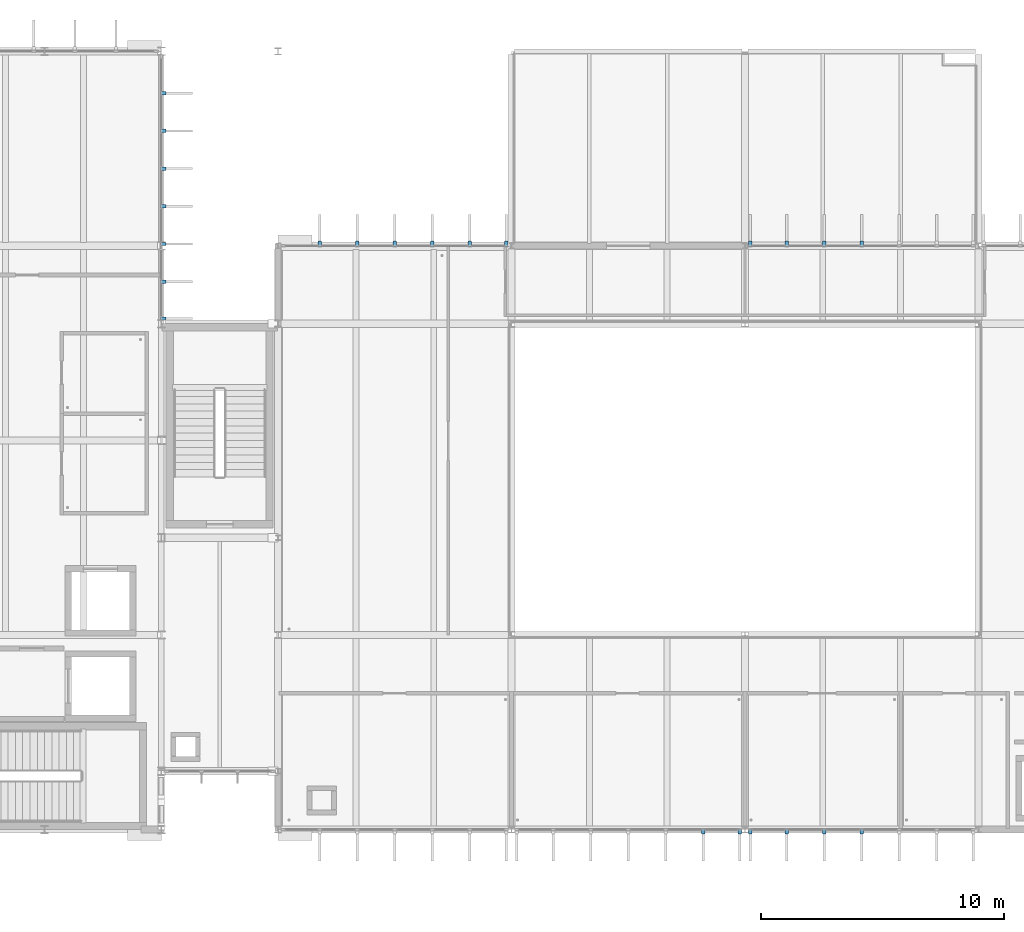
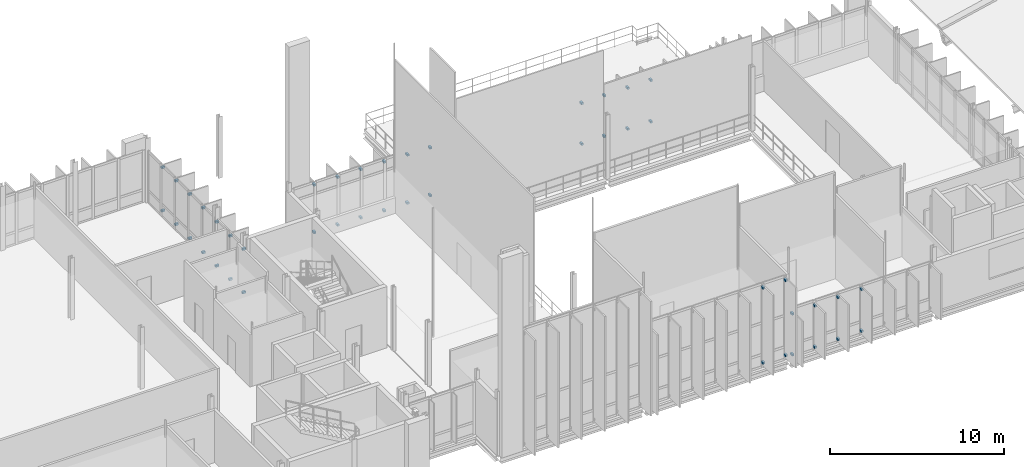
# One storey, part 35 of 41: 46 discrete accessories.
"""IFC4 building model written with IfcOpenShell, lengths in metres."""

import ifcopenshell
import ifcopenshell.guid

model = None  # the IFC model being written
_history = None  # IfcOwnerHistory: only IFC2X3 demands one
_inside = {}  # id of a spatial element -> (the spatial element, [elements in it])
_under = {}  # id of a project, library or spatial element -> (it, [spatial elements below it])
_declared = {}  # id of a project -> (the project, [libraries it declares])
_typed = {}  # id of a type object -> (the type object, [elements of that type])
_made_of = {}  # id of a material, layer set ... -> (it, [elements and type objects made of it])


def new_model(schema):
    """Start an empty IFC model of exactly this schema.

    Asked for "IFC4X3", IfcOpenShell would pick the latest addendum, in which some entities
    have other attributes; the version numbers below select the first issue.
    IFC2X3 requires an IfcOwnerHistory on every rooted entity: one is made here for all.
    """
    global model, _history
    if schema == "IFC4X3":
        model = ifcopenshell.file(schema_version=(4, 3, 0, 0))
    else:
        model = ifcopenshell.file(schema=schema)
    _inside.clear()
    _under.clear()
    _declared.clear()
    _typed.clear()
    _made_of.clear()
    _history = None
    if model.schema == "IFC2X3":
        org = make("IfcOrganization", Name="unknown")
        user = make(
            "IfcPersonAndOrganization",
            ThePerson=make("IfcPerson", FamilyName="unknown"),
            TheOrganization=org,
        )
        app = make(
            "IfcApplication",
            ApplicationDeveloper=org,
            Version="unknown",
            ApplicationFullName="unknown",
            ApplicationIdentifier="unknown",
        )
        _history = make(
            "IfcOwnerHistory",
            OwningUser=user,
            OwningApplication=app,
            ChangeAction="ADDED",
            CreationDate=0,
        )
    return model


def make(cls, **values):
    """One entity of the class cls with the attributes given. An attribute that is None is left unset."""
    return model.create_entity(
        cls, **{name: value for name, value in values.items() if value is not None}
    )


def rooted(cls, **values):
    """An entity with a GlobalId (a new one), such as an element, a storey or a relation."""
    return make(cls, GlobalId=ifcopenshell.guid.new(), OwnerHistory=_history, **values)


def si_unit(unit_type, name, prefix=None):
    """IfcSIUnit, for example si_unit("LENGTHUNIT", "METRE", prefix="MILLI")."""
    return make("IfcSIUnit", UnitType=unit_type, Prefix=prefix, Name=name)


def assignment(units):
    """IfcUnitAssignment: the units of a project."""
    return None if units is None else make("IfcUnitAssignment", Units=units)


def point(xyz):
    """IfcCartesianPoint."""
    return None if xyz is None else make("IfcCartesianPoint", Coordinates=xyz)


def direction(xyz):
    """IfcDirection."""
    return None if xyz is None else make("IfcDirection", DirectionRatios=xyz)


def frame(location, z_axis=None, x_axis=None):
    """IfcAxis2Placement3D, a coordinate frame: its origin and axes. An axis left out is left unset."""
    return make(
        "IfcAxis2Placement3D",
        Location=point(location),
        Axis=direction(z_axis),
        RefDirection=direction(x_axis),
    )


def frame_2d(location, x_axis=None):
    """IfcAxis2Placement2D, a coordinate frame in the plane: its origin and x axis."""
    return make(
        "IfcAxis2Placement2D", Location=point(location), RefDirection=direction(x_axis)
    )


def origin():
    """The frame at (0, 0, 0) with its axes left unset."""
    return frame((0.0, 0.0, 0.0))


def origin_2d():
    """The frame at (0, 0) in the plane with its x axis left unset."""
    return frame_2d((0.0, 0.0))


def place(relative_to, where):
    """IfcLocalPlacement: puts the frame where relative to a parent placement (None: the world)."""
    return make(
        "IfcLocalPlacement", PlacementRelTo=relative_to, RelativePlacement=where
    )


def context(
    kind, dimensions, precision=None, world=None, true_north=None, identifier=None
):
    """IfcGeometricRepresentationContext, for example the 3D "Model" context."""
    return make(
        "IfcGeometricRepresentationContext",
        ContextIdentifier=identifier,
        ContextType=kind,
        CoordinateSpaceDimension=dimensions,
        Precision=precision,
        WorldCoordinateSystem=world,
        TrueNorth=true_north,
    )


def subcontext(parent, identifier, kind, view, scale=None):
    """IfcGeometricRepresentationSubContext, for example "Body" below "Model"."""
    return make(
        "IfcGeometricRepresentationSubContext",
        ContextIdentifier=identifier,
        ContextType=kind,
        ParentContext=parent,
        TargetScale=scale,
        TargetView=view,
    )


def project(units=None, contexts=None):
    """IfcProject with its units and contexts."""
    return rooted(
        "IfcProject",
        Name="project",
        RepresentationContexts=contexts,
        UnitsInContext=assignment(units),
    )


def spatial(cls, under=None, at=None, **own):
    """A site, building, storey or space (cls), placed at a placement, below another one or the project."""
    s = rooted(cls, ObjectPlacement=at, **own)
    if under is not None:
        _under.setdefault(under.id(), (under, []))[1].append(s)
    return s


def profile(cls, at=None, kind="AREA", **sizes):
    """A parametric profile (cls). Its sizes go by their IFC names, for example OverallWidth=200.0."""
    return make(cls, ProfileType=kind, Position=at, **sizes)


def rectangle(**sizes):
    """IfcRectangleProfileDef."""
    return profile("IfcRectangleProfileDef", **sizes)


def extrude(swept, where, along, depth):
    """IfcExtrudedAreaSolid: the profile swept, set in the frame where, extruded along a direction by depth."""
    return make(
        "IfcExtrudedAreaSolid",
        SweptArea=swept,
        Position=where,
        ExtrudedDirection=direction(along),
        Depth=depth,
    )


def shape(context_of_items, identifier, shape_type, items):
    """IfcShapeRepresentation: the items that make up one representation, for example the "Body"."""
    return make(
        "IfcShapeRepresentation",
        ContextOfItems=context_of_items,
        RepresentationIdentifier=identifier,
        RepresentationType=shape_type,
        Items=items,
    )


def material(Name=None, Category=None):
    """IfcMaterial."""
    return make("IfcMaterial", Name=Name, Category=Category)


def made_of(thing, what):
    """Note that an element or type object is made of a material, layer set ...; save() writes the relation."""
    if what is not None:
        _made_of.setdefault(what.id(), (what, []))[1].append(thing)
    return thing


def type_object(cls, material=None, **own):
    """A type object (cls), such as IfcWallType, which elements share."""
    return made_of(rooted(cls, **own), material)


def element(
    cls,
    number,
    at=None,
    inside=None,
    cuts=None,
    type_object=None,
    material=None,
    context=None,
    identifier="Body",
    shape_type=None,
    held_by="IfcProductDefinitionShape",
    body=None,
    shapes=None,
    **own,
):
    """One element of the class cls, such as IfcWall. Its Tag is "e" and its number.

    at: its placement. inside: the storey or other place that contains it. cuts: it is an
    opening in that element (IfcRelVoidsElement). A single representation is given by context,
    identifier, shape_type and body (its items); several are given by shapes. held_by: the class
    of the entity that holds the representations. save() writes the other relations.
    """
    e = rooted(cls, Tag="e%d" % number, ObjectPlacement=at, **own)
    if body is not None:
        shapes = [shape(context, identifier, shape_type, body)]
    if shapes is not None:
        e.Representation = make(held_by, Representations=shapes)
    if inside is not None:
        _inside.setdefault(inside.id(), (inside, []))[1].append(e)
    if cuts is not None:
        rooted(
            "IfcRelVoidsElement", RelatingBuildingElement=cuts, RelatedOpeningElement=e
        )
    if type_object is not None:
        _typed.setdefault(type_object.id(), (type_object, []))[1].append(e)
    return made_of(e, material)


def aggregate(whole, parts):
    """IfcRelAggregates: a whole, such as a stair, and the parts it consists of."""
    return rooted("IfcRelAggregates", RelatingObject=whole, RelatedObjects=parts)


def save(model, path):
    """Write the relations noted so far, then the file.

    IfcRelAggregates (storeys below a building ...), IfcRelContainedInSpatialStructure (elements
    in a storey), IfcRelDefinesByType, IfcRelAssociatesMaterial and IfcRelDeclares: one each for
    every whole, place, type object, material and project.
    """
    for whole, parts in _under.values():
        aggregate(whole, parts)
    for where, things in _inside.values():
        rooted(
            "IfcRelContainedInSpatialStructure",
            RelatedElements=things,
            RelatingStructure=where,
        )
    for kind, things in _typed.values():
        rooted("IfcRelDefinesByType", RelatedObjects=things, RelatingType=kind)
    for what, things in _made_of.values():
        rooted("IfcRelAssociatesMaterial", RelatedObjects=things, RelatingMaterial=what)
    for by, libraries in _declared.values():
        rooted("IfcRelDeclares", RelatingContext=by, RelatedDefinitions=libraries)
    model.write(path)


model = new_model("IFC4")

# Units and contexts
model_context = context("Model", 3, precision=1e-05, world=origin(), true_north=direction((0.0, 1.0)))
body_context = subcontext(model_context, "Body", "Model", "MODEL_VIEW")
ifc_project = project(units=[si_unit("LENGTHUNIT", "METRE"), si_unit("AREAUNIT", "SQUARE_METRE"), si_unit("VOLUMEUNIT", "CUBIC_METRE"), si_unit("PLANEANGLEUNIT", "RADIAN"), si_unit("MASSUNIT", "GRAM", prefix="KILO")], contexts=[model_context])

# Site, building, storey
site_placement = place(None, origin())
site = spatial("IfcSite", under=ifc_project, at=site_placement, CompositionType="ELEMENT")
building_placement = place(site_placement, origin())
building = spatial("IfcBuilding", under=site, at=building_placement, Name="Dunescarp Central Library", CompositionType="ELEMENT")
storey_placement = place(building_placement, frame((0.0, 0.0, 23.10009765625)))
storey = spatial("IfcBuildingStorey", under=building, at=storey_placement, Name="L05", CompositionType="ELEMENT", Elevation=23.10009765625)

# Discrete accessories
ifc_material = material(Name="Stainless steel Grade 316L", Category="steel")
discrete_accessory_type = type_object("IfcDiscreteAccessoryType", Name="ARC-ACC-BRK", PredefinedType="BRACKET", material=ifc_material)
for number, where, z_axis, x_axis, name in (
    (1, (33.679931640625, 35.074951171875, 0.2900390625), (0.0, 0.0, 1.0), (1.0, 0.0, 0.0), "Fin bracket BRK-FIN-L05-0260-B"),
    (2, (33.679931640625, 35.074951171875, 3.32275390625), (0.0, 0.0, 1.0), (1.0, 0.0, 0.0), "Fin bracket BRK-FIN-L05-0260-T"),
    (3, (33.679931640625, 33.52490234375, 0.27392578125), (0.0, 0.0, 1.0), (1.0, 0.0, 0.0), "Fin bracket BRK-FIN-L05-0261-B"),
    (4, (33.679931640625, 33.52490234375, 3.32275390625), (0.0, 0.0, 1.0), (1.0, 0.0, 0.0), "Fin bracket BRK-FIN-L05-0261-T"),
    (5, (33.679931640625, 31.97509765625, 0.23291015625), (0.0, 0.0, 1.0), (1.0, 0.0, 0.0), "Fin bracket BRK-FIN-L05-0262-B"),
    (6, (33.679931640625, 31.97509765625, 3.32275390625), (0.0, 0.0, 1.0), (1.0, 0.0, 0.0), "Fin bracket BRK-FIN-L05-0262-T"),
    (7, (33.679931640625, 30.425048828125, 0.18994140625), (0.0, 0.0, 1.0), (1.0, 0.0, 0.0), "Fin bracket BRK-FIN-L05-0263-B"),
    (8, (33.679931640625, 30.425048828125, 3.31201171875), (0.0, 0.0, 1.0), (1.0, 0.0, 0.0), "Fin bracket BRK-FIN-L05-0263-T"),
    (9, (33.679931640625, 28.875, 0.18994140625), (0.0, 0.0, 1.0), (1.0, 0.0, 0.0), "Fin bracket BRK-FIN-L05-0264-B"),
    (10, (33.679931640625, 28.875, 3.26171875), (0.0, 0.0, 1.0), (1.0, 0.0, 0.0), "Fin bracket BRK-FIN-L05-0264-T"),
    (11, (33.679931640625, 27.324951171875, 0.18994140625), (0.0, 0.0, 1.0), (1.0, 0.0, 0.0), "Fin bracket BRK-FIN-L05-0265-B"),
    (12, (33.679931640625, 27.324951171875, 3.22900390625), (0.0, 0.0, 1.0), (1.0, 0.0, 0.0), "Fin bracket BRK-FIN-L05-0265-T"),
    (13, (33.679931640625, 25.81494140625, 0.18994140625), (0.0, 0.0, 1.0), (1.0, 0.0, 0.0), "Fin bracket BRK-FIN-L05-0266-B"),
    (14, (33.679931640625, 25.81494140625, 3.22509765625), (0.0, 0.0, 1.0), (1.0, 0.0, 0.0), "Fin bracket BRK-FIN-L05-0266-T"),
    (15, (57.385009765625, 4.719970703125, 0.27685546875), (0.0, 0.0, 1.0), (0.0, -1.0, 0.0), "Fin bracket BRK-FIN-L05-0516-B"),
    (16, (57.385009765625, 4.719970703125, 5.54296875), (0.0, 0.0, 1.0), (0.0, -1.0, 0.0), "Fin bracket BRK-FIN-L05-0516-T"),
    (17, (55.883056640625, 4.719970703125, 0.2900390625), (0.0, 0.0, 1.0), (0.0, -1.0, 0.0), "Fin bracket BRK-FIN-L05-0517-B"),
    (18, (55.883056640625, 4.719970703125, 5.54296875), (0.0, 0.0, 1.0), (0.0, -1.0, 0.0), "Fin bracket BRK-FIN-L05-0517-T"),
    (19, (62.39990234375, 4.719970703125, 0.23291015625), (0.0, 0.0, 1.0), (0.0, -1.0, 0.0), "Fin bracket BRK-FIN-L05-0526-B"),
    (20, (62.39990234375, 4.719970703125, 3.14306640625), (0.0, 0.0, 1.0), (0.0, -1.0, 0.0), "Fin bracket BRK-FIN-L05-0526-T"),
    (21, (60.85791015625, 4.719970703125, 0.18994140625), (0.0, 0.0, 1.0), (0.0, -1.0, 0.0), "Fin bracket BRK-FIN-L05-0527-B"),
    (22, (60.85791015625, 4.719970703125, 3.1318359375), (0.0, 0.0, 1.0), (0.0, -1.0, 0.0), "Fin bracket BRK-FIN-L05-0527-T"),
    (23, (59.31689453125, 4.719970703125, 0.18994140625), (0.0, 0.0, 1.0), (0.0, -1.0, 0.0), "Fin bracket BRK-FIN-L05-0528-B"),
    (24, (59.31689453125, 4.719970703125, 3.08203125), (0.0, 0.0, 1.0), (0.0, -1.0, 0.0), "Fin bracket BRK-FIN-L05-0528-T"),
    (25, (57.81494140625, 4.719970703125, 0.18994140625), (0.0, 0.0, 1.0), (0.0, -1.0, 0.0), "Fin bracket BRK-FIN-L05-0529-B"),
    (26, (57.81494140625, 4.719970703125, 3.048828125), (0.0, 0.0, 1.0), (0.0, -1.0, 0.0), "Fin bracket BRK-FIN-L05-0529-T"),
    (27, (40.116943359375, 28.8798828125, 0.2900390625), (0.0, 0.0, 1.0), (0.0, 1.0, 0.0), "Fin bracket BRK-FIN-L05-0530-B"),
    (28, (40.116943359375, 28.8798828125, 3.625), (0.0, 0.0, 1.0), (0.0, 1.0, 0.0), "Fin bracket BRK-FIN-L05-0530-T"),
    (29, (41.657958984375, 28.8798828125, 0.27392578125), (0.0, 0.0, 1.0), (0.0, 1.0, 0.0), "Fin bracket BRK-FIN-L05-0531-B"),
    (30, (41.657958984375, 28.8798828125, 3.625), (0.0, 0.0, 1.0), (0.0, 1.0, 0.0), "Fin bracket BRK-FIN-L05-0531-T"),
    (31, (43.199951171875, 28.8798828125, 0.23291015625), (0.0, 0.0, 1.0), (0.0, 1.0, 0.0), "Fin bracket BRK-FIN-L05-0532-B"),
    (32, (43.199951171875, 28.8798828125, 3.625), (0.0, 0.0, 1.0), (0.0, 1.0, 0.0), "Fin bracket BRK-FIN-L05-0532-T"),
    (33, (44.741943359375, 28.8798828125, 0.18994140625), (0.0, 0.0, 1.0), (0.0, 1.0, 0.0), "Fin bracket BRK-FIN-L05-0533-B"),
    (34, (44.741943359375, 28.8798828125, 3.61376953125), (0.0, 0.0, 1.0), (0.0, 1.0, 0.0), "Fin bracket BRK-FIN-L05-0533-T"),
    (35, (46.282958984375, 28.8798828125, 0.18994140625), (0.0, 0.0, 1.0), (0.0, 1.0, 0.0), "Fin bracket BRK-FIN-L05-0534-B"),
    (36, (46.282958984375, 28.8798828125, 3.56396484375), (0.0, 0.0, 1.0), (0.0, 1.0, 0.0), "Fin bracket BRK-FIN-L05-0534-T"),
    (37, (47.784912109375, 28.8798828125, 0.18994140625), (0.0, 0.0, 1.0), (0.0, 1.0, 0.0), "Fin bracket BRK-FIN-L05-0535-B"),
    (38, (47.784912109375, 28.8798828125, 3.53076171875), (0.0, 0.0, 1.0), (0.0, 1.0, 0.0), "Fin bracket BRK-FIN-L05-0535-T"),
    (39, (57.81494140625, 28.8798828125, 0.27685546875), (0.0, 0.0, 1.0), (0.0, 1.0, 0.0), "Fin bracket BRK-FIN-L05-0536-B"),
    (40, (57.81494140625, 28.8798828125, 3.1357421875), (0.0, 0.0, 1.0), (0.0, 1.0, 0.0), "Fin bracket BRK-FIN-L05-0536-T"),
    (41, (59.31689453125, 28.8798828125, 0.2900390625), (0.0, 0.0, 1.0), (0.0, 1.0, 0.0), "Fin bracket BRK-FIN-L05-0537-B"),
    (42, (59.31689453125, 28.8798828125, 3.1357421875), (0.0, 0.0, 1.0), (0.0, 1.0, 0.0), "Fin bracket BRK-FIN-L05-0537-T"),
    (43, (60.85791015625, 28.8798828125, 0.27392578125), (0.0, 0.0, 1.0), (0.0, 1.0, 0.0), "Fin bracket BRK-FIN-L05-0538-B"),
    (44, (60.85791015625, 28.8798828125, 3.1357421875), (0.0, 0.0, 1.0), (0.0, 1.0, 0.0), "Fin bracket BRK-FIN-L05-0538-T"),
    (45, (62.39990234375, 28.8798828125, 0.23291015625), (0.0, 0.0, 1.0), (0.0, 1.0, 0.0), "Fin bracket BRK-FIN-L05-0539-B"),
    (46, (62.39990234375, 28.8798828125, 3.1357421875), (0.0, 0.0, 1.0), (0.0, 1.0, 0.0), "Fin bracket BRK-FIN-L05-0539-T"),
):
    element("IfcDiscreteAccessory", number, at=place(storey_placement, frame(where, z_axis=z_axis, x_axis=x_axis)), inside=storey, type_object=discrete_accessory_type, Name=name, PredefinedType="BRACKET", context=body_context, shape_type="SweptSolid", body=[
        extrude(rectangle(XDim=0.219970703125, YDim=0.139892578125, at=origin_2d()), origin(), (0.0, 0.0, 1.0), 0.139892578125),
    ])

save(model, "model.ifc")
